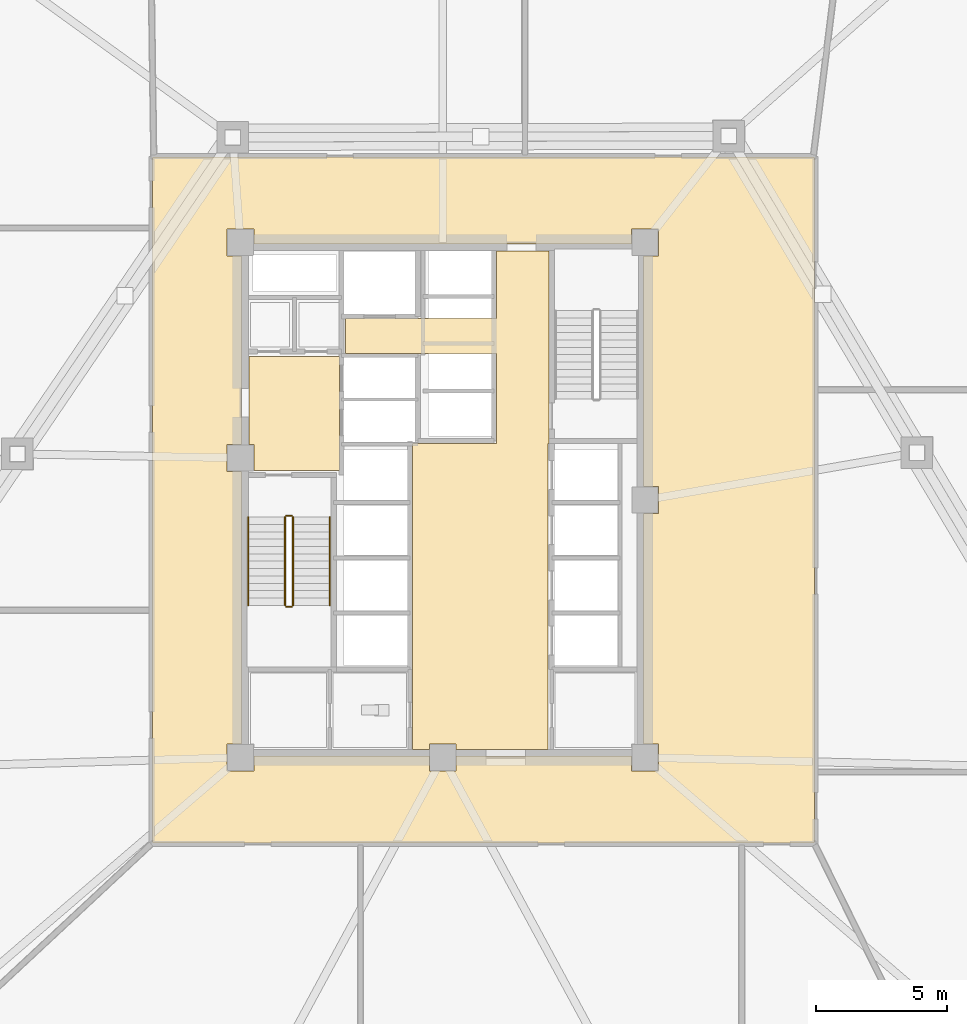
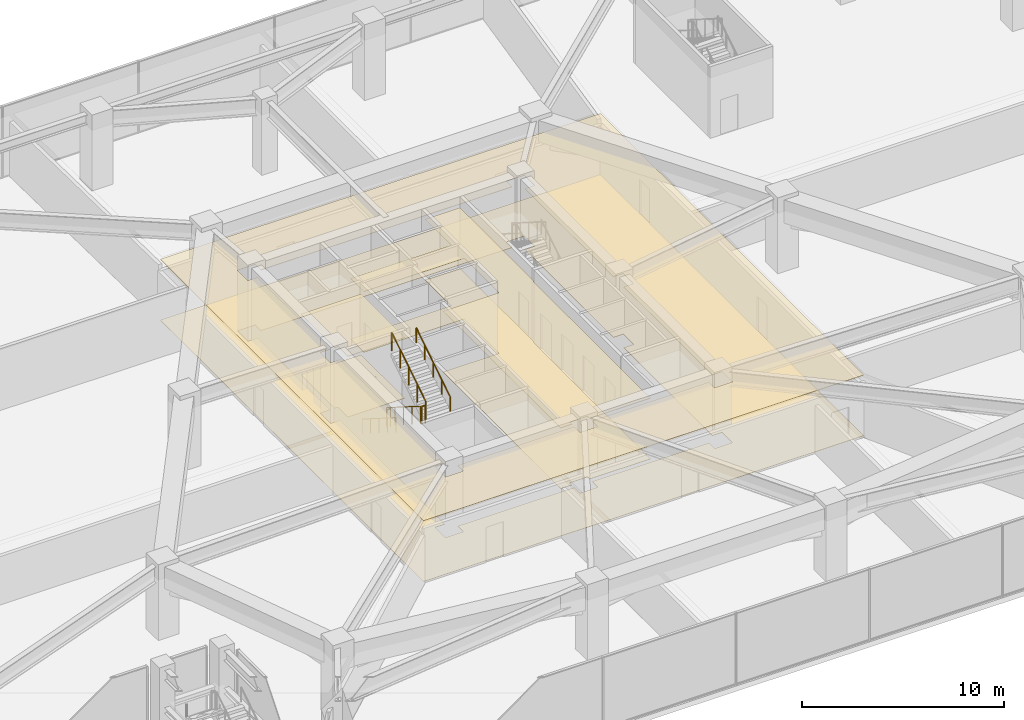
# One storey, part 19 of 23: 6 coverings, 6 railings.
"""IFC4 building model written with IfcOpenShell, lengths in metres."""

from ifc_helpers import new_model, si_unit, direction, frame, origin, origin_2d, place, context, subcontext, project, spatial, polyline, circle, outline, extrude, material, layer, layer_set, type_object, element, save


model = new_model("IFC4")

# Units and contexts
model_context = context("Model", 3, precision=1e-05, world=origin(), true_north=direction((0.0, 1.0)))
body_context = subcontext(model_context, "Body", "Model", "MODEL_VIEW")
ifc_project = project(units=[si_unit("LENGTHUNIT", "METRE"), si_unit("AREAUNIT", "SQUARE_METRE"), si_unit("VOLUMEUNIT", "CUBIC_METRE"), si_unit("PLANEANGLEUNIT", "RADIAN"), si_unit("MASSUNIT", "GRAM", prefix="KILO")], contexts=[model_context])

# Site, building, storey
site_placement = place(None, origin())
site = spatial("IfcSite", under=ifc_project, at=site_placement, CompositionType="ELEMENT")
building_placement = place(site_placement, origin())
building = spatial("IfcBuilding", under=site, at=building_placement, Name="Savorim Split Tower", CompositionType="ELEMENT")
storey_placement = place(building_placement, frame((0.0, 0.0, 21.800048828125)))
storey = spatial("IfcBuildingStorey", under=building, at=storey_placement, Name="L05", CompositionType="ELEMENT", Elevation=21.800048828125)

# Coverings
ifc_material_1 = material(Name="Mineral Fibre Acoustic Ceiling")
ifc_layer_1 = layer(ifc_material_1, 0.02490234375)
ifc_layer_set_1 = layer_set([ifc_layer_1], Name="COV-CEIL-25")
covering_type_1 = type_object("IfcCoveringType", Name="COV-CEIL-25", PredefinedType="CEILING", material=ifc_layer_set_1)
covering_1_placement = place(storey_placement, frame((0.0, 0.0, 3.669921875)))
element("IfcCovering", 1, at=covering_1_placement, inside=storey, type_object=covering_type_1, Name="L05 Firefighting Lift Lobby Acoustic Ceiling", PredefinedType="CEILING", context=body_context, shape_type="SweptSolid", body=[
    extrude(outline(polyline([(-3.929931640625, 5.8701171875), (-7.3798828125, 5.8701171875), (-7.3798828125, 2.510009765625), (-7.18994140625, 2.510009765625), (-7.18994140625, 1.530029296875), (-3.929931640625, 1.530029296875), (-3.929931640625, 5.8701171875)])), origin(), (0.0, 0.0, 1.0), 0.025146484375),
])
covering_2_placement = place(storey_placement, frame((0.0, 0.0, 3.669921875)))
element("IfcCovering", 2, at=covering_2_placement, inside=storey, type_object=covering_type_1, Name="L05 Lift Lobby Acoustic Ceiling", PredefinedType="CEILING", context=body_context, shape_type="SweptSolid", body=[
    extrude(outline(polyline([(2.050048828125, 2.550048828125), (-1.14990234375, 2.550048828125), (-1.14990234375, -9.10009765625), (-0.510009765625, -9.10009765625), (-0.510009765625, -8.889892578125), (0.510009765625, -8.889892578125), (0.510009765625, -9.10009765625), (4.0, -9.10009765625), (4.0, 2.550048828125), (4.050048828125, 2.550048828125), (4.050048828125, 5.97998046875), (4.050048828125, 7.300048828125), (4.050048828125, 9.8798828125), (2.050048828125, 9.8798828125), (2.050048828125, 7.300048828125), (-3.699951171875, 7.300048828125), (-3.699951171875, 5.97998046875), (2.050048828125, 5.97998046875), (2.050048828125, 2.550048828125)])), origin(), (0.0, 0.0, 1.0), 0.025146484375),
])
covering_3_placement = place(storey_placement, frame((0.0, 0.0, 3.669921875)))
element("IfcCovering", 3, at=covering_3_placement, inside=storey, type_object=covering_type_1, Name="L05 Plant Corridor Acoustic Ceiling", PredefinedType="CEILING", context=body_context, shape_type="SweptSolid", body=[
    extrude(outline(polyline([(14.10986328125, 13.448974609375), (14.10498046875, 13.44970703125), (14.10009765625, 13.449951171875), (-11.0, 13.449951171875), (-11.0048828125, 13.44970703125), (-11.009765625, 13.448974609375), (-11.014404296875, 13.44775390625), (-11.01904296875, 13.4462890625), (-11.023681640625, 13.444091796875), (-11.02783203125, 13.441650390625), (-11.03173828125, 13.438720703125), (-11.035400390625, 13.435302734375), (-11.038818359375, 13.431640625), (-11.04150390625, 13.427734375), (-11.044189453125, 13.423583984375), (-11.046142578125, 13.419189453125), (-11.0478515625, 13.41455078125), (-11.049072265625, 13.409912109375), (-11.0498046875, 13.40478515625), (-11.050048828125, 13.39990234375), (-11.050048828125, -12.60009765625), (-11.0498046875, -12.60498046875), (-11.049072265625, -12.60986328125), (-11.0478515625, -12.614501953125), (-11.046142578125, -12.619140625), (-11.044189453125, -12.62353515625), (-11.04150390625, -12.627685546875), (-11.038818359375, -12.631591796875), (-11.035400390625, -12.635498046875), (-11.03173828125, -12.638671875), (-11.02783203125, -12.6416015625), (-11.023681640625, -12.64404296875), (-11.01904296875, -12.646240234375), (-11.014404296875, -12.647705078125), (-11.009765625, -12.64892578125), (-11.0048828125, -12.64990234375), (-11.0, -12.64990234375), (14.10009765625, -12.64990234375), (14.10498046875, -12.64990234375), (14.10986328125, -12.64892578125), (14.114501953125, -12.647705078125), (14.119140625, -12.646240234375), (14.12353515625, -12.64404296875), (14.127685546875, -12.6416015625), (14.131591796875, -12.638671875), (14.135498046875, -12.635498046875), (14.138671875, -12.631591796875), (14.1416015625, -12.627685546875), (14.14404296875, -12.62353515625), (14.146240234375, -12.619140625), (14.147705078125, -12.614501953125), (14.14892578125, -12.60986328125), (14.14990234375, -12.60498046875), (14.14990234375, -12.60009765625), (14.14990234375, 13.39990234375), (14.14990234375, 13.40478515625), (14.14892578125, 13.409912109375), (14.147705078125, 13.41455078125), (14.146240234375, 13.419189453125), (14.14404296875, 13.423583984375), (14.1416015625, 13.427734375), (14.138671875, 13.431640625), (14.135498046875, 13.435302734375), (14.131591796875, 13.438720703125), (14.127685546875, 13.441650390625), (14.12353515625, 13.444091796875), (14.119140625, 13.4462890625), (14.114501953125, 13.44775390625), (14.10986328125, 13.448974609375)]), holes=[polyline([(0.510009765625, -9.909912109375), (0.510009765625, -9.35009765625), (7.18994140625, -9.35009765625), (7.18994140625, -9.909912109375), (8.2099609375, -9.909912109375), (8.2099609375, -8.889892578125), (7.64990234375, -8.889892578125), (7.64990234375, -0.110107421875), (8.2099609375, -0.110107421875), (8.2099609375, 0.909912109375), (7.64990234375, 0.909912109375), (7.64990234375, 9.68994140625), (8.2099609375, 9.68994140625), (8.2099609375, 10.7099609375), (7.18994140625, 10.7099609375), (7.18994140625, 10.14990234375), (-7.18994140625, 10.14990234375), (-7.18994140625, 10.7099609375), (-8.2099609375, 10.7099609375), (-8.2099609375, 9.68994140625), (-7.64990234375, 9.68994140625), (-7.64990234375, 2.510009765625), (-8.2099609375, 2.510009765625), (-8.2099609375, 1.489990234375), (-7.64990234375, 1.489990234375), (-7.64990234375, -8.889892578125), (-8.2099609375, -8.889892578125), (-8.2099609375, -9.909912109375), (-7.18994140625, -9.909912109375), (-7.18994140625, -9.35009765625), (-0.510009765625, -9.35009765625), (-0.510009765625, -9.909912109375), (0.510009765625, -9.909912109375)])]), origin(), (0.0, 0.0, 1.0), 0.025146484375),
])
ifc_material_2 = material(Name="Porcelain Stoneware Flooring", Category="masonry")
ifc_layer_2 = layer(ifc_material_2, 0.02001953125)
ifc_layer_set_2 = layer_set([ifc_layer_2], Name="COV-FLOR-20")
covering_type_2 = type_object("IfcCoveringType", Name="COV-FLOR-20", PredefinedType="FLOORING", material=ifc_layer_set_2)
covering_4_placement = place(storey_placement, origin())
element("IfcCovering", 4, at=covering_4_placement, inside=storey, type_object=covering_type_2, Name="L05 Firefighting Lift Lobby Porcelain Flooring", PredefinedType="FLOORING", context=body_context, shape_type="SweptSolid", body=[
    extrude(outline(polyline([(-3.929931640625, 5.8701171875), (-7.3798828125, 5.8701171875), (-7.3798828125, 2.510009765625), (-7.18994140625, 2.510009765625), (-7.18994140625, 1.530029296875), (-3.929931640625, 1.530029296875), (-3.929931640625, 5.8701171875)])), origin(), (0.0, 0.0, 1.0), 0.02001953125),
])
covering_5_placement = place(storey_placement, origin())
element("IfcCovering", 5, at=covering_5_placement, inside=storey, type_object=covering_type_2, Name="L05 Lift Lobby Porcelain Flooring", PredefinedType="FLOORING", context=body_context, shape_type="SweptSolid", body=[
    extrude(outline(polyline([(2.050048828125, 2.550048828125), (-1.14990234375, 2.550048828125), (-1.14990234375, -9.10009765625), (-0.510009765625, -9.10009765625), (-0.510009765625, -8.889892578125), (0.510009765625, -8.889892578125), (0.510009765625, -9.10009765625), (4.0, -9.10009765625), (4.0, 2.550048828125), (4.050048828125, 2.550048828125), (4.050048828125, 5.97998046875), (4.050048828125, 7.300048828125), (4.050048828125, 9.8798828125), (2.050048828125, 9.8798828125), (2.050048828125, 7.300048828125), (-3.699951171875, 7.300048828125), (-3.699951171875, 5.97998046875), (2.050048828125, 5.97998046875), (2.050048828125, 2.550048828125)])), origin(), (0.0, 0.0, 1.0), 0.02001953125),
])
covering_6_placement = place(storey_placement, origin())
element("IfcCovering", 6, at=covering_6_placement, inside=storey, type_object=covering_type_2, Name="L05 Plant Corridor Porcelain Flooring", PredefinedType="FLOORING", context=body_context, shape_type="SweptSolid", body=[
    extrude(outline(polyline([(14.10986328125, 13.448974609375), (14.10498046875, 13.44970703125), (14.10009765625, 13.449951171875), (-11.0, 13.449951171875), (-11.0048828125, 13.44970703125), (-11.009765625, 13.448974609375), (-11.014404296875, 13.44775390625), (-11.01904296875, 13.4462890625), (-11.023681640625, 13.444091796875), (-11.02783203125, 13.441650390625), (-11.03173828125, 13.438720703125), (-11.035400390625, 13.435302734375), (-11.038818359375, 13.431640625), (-11.04150390625, 13.427734375), (-11.044189453125, 13.423583984375), (-11.046142578125, 13.419189453125), (-11.0478515625, 13.41455078125), (-11.049072265625, 13.409912109375), (-11.0498046875, 13.40478515625), (-11.050048828125, 13.39990234375), (-11.050048828125, -12.60009765625), (-11.0498046875, -12.60498046875), (-11.049072265625, -12.60986328125), (-11.0478515625, -12.614501953125), (-11.046142578125, -12.619140625), (-11.044189453125, -12.62353515625), (-11.04150390625, -12.627685546875), (-11.038818359375, -12.631591796875), (-11.035400390625, -12.635498046875), (-11.03173828125, -12.638671875), (-11.02783203125, -12.6416015625), (-11.023681640625, -12.64404296875), (-11.01904296875, -12.646240234375), (-11.014404296875, -12.647705078125), (-11.009765625, -12.64892578125), (-11.0048828125, -12.64990234375), (-11.0, -12.64990234375), (14.10009765625, -12.64990234375), (14.10498046875, -12.64990234375), (14.10986328125, -12.64892578125), (14.114501953125, -12.647705078125), (14.119140625, -12.646240234375), (14.12353515625, -12.64404296875), (14.127685546875, -12.6416015625), (14.131591796875, -12.638671875), (14.135498046875, -12.635498046875), (14.138671875, -12.631591796875), (14.1416015625, -12.627685546875), (14.14404296875, -12.62353515625), (14.146240234375, -12.619140625), (14.147705078125, -12.614501953125), (14.14892578125, -12.60986328125), (14.14990234375, -12.60498046875), (14.14990234375, -12.60009765625), (14.14990234375, 13.39990234375), (14.14990234375, 13.40478515625), (14.14892578125, 13.409912109375), (14.147705078125, 13.41455078125), (14.146240234375, 13.419189453125), (14.14404296875, 13.423583984375), (14.1416015625, 13.427734375), (14.138671875, 13.431640625), (14.135498046875, 13.435302734375), (14.131591796875, 13.438720703125), (14.127685546875, 13.441650390625), (14.12353515625, 13.444091796875), (14.119140625, 13.4462890625), (14.114501953125, 13.44775390625), (14.10986328125, 13.448974609375)]), holes=[polyline([(0.510009765625, -9.909912109375), (0.510009765625, -9.35009765625), (7.18994140625, -9.35009765625), (7.18994140625, -9.909912109375), (8.2099609375, -9.909912109375), (8.2099609375, -8.889892578125), (7.64990234375, -8.889892578125), (7.64990234375, -0.110107421875), (8.2099609375, -0.110107421875), (8.2099609375, 0.909912109375), (7.64990234375, 0.909912109375), (7.64990234375, 9.68994140625), (8.2099609375, 9.68994140625), (8.2099609375, 10.7099609375), (7.18994140625, 10.7099609375), (7.18994140625, 10.14990234375), (-7.18994140625, 10.14990234375), (-7.18994140625, 10.7099609375), (-8.2099609375, 10.7099609375), (-8.2099609375, 9.68994140625), (-7.64990234375, 9.68994140625), (-7.64990234375, 2.510009765625), (-8.2099609375, 2.510009765625), (-8.2099609375, 1.489990234375), (-7.64990234375, 1.489990234375), (-7.64990234375, -8.889892578125), (-8.2099609375, -8.889892578125), (-8.2099609375, -9.909912109375), (-7.18994140625, -9.909912109375), (-7.18994140625, -9.35009765625), (-0.510009765625, -9.35009765625), (-0.510009765625, -9.909912109375), (0.510009765625, -9.909912109375)])]), origin(), (0.0, 0.0, 1.0), 0.02001953125),
])

# Railings
ifc_material_3 = material(Name="Galvanised Painted Steel Balustrade", Category="steel")
railing_type_1 = type_object("IfcRailingType", Name="RLG-HR-900", PredefinedType="HANDRAIL", material=ifc_material_3)
railing_1_placement = place(storey_placement, frame((-7.39990234375, -0.25, 0.1767578125)))
element("IfcRailing", 7, at=railing_1_placement, inside=storey, type_object=railing_type_1, Name="L05 ST-1 stair handrail 1", PredefinedType="HANDRAIL", context=body_context, shape_type="SweptSolid", body=[
    extrude(circle(Radius=0.02392578125, at=origin_2d()), frame((0.0, 0.0, 0.8759765625), z_axis=(0.0, -0.845361898145, 0.534194029511), x_axis=(1.0, 0.0, 0.0)), (0.0, 0.0, 1.0), 3.974853515625),
    extrude(circle(Radius=0.02099609375, at=origin_2d()), origin(), (0.0, 0.0, 1.0), 0.851806640625),
    extrude(circle(Radius=0.02099609375, at=origin_2d()), frame((0.0, -0.840087890625, 0.53076171875)), (0.0, 0.0, 1.0), 0.851806640625),
    extrude(circle(Radius=0.02099609375, at=origin_2d()), frame((0.0, -1.68017578125, 1.0615234375)), (0.0, 0.0, 1.0), 0.851806640625),
    extrude(circle(Radius=0.02099609375, at=origin_2d()), frame((0.0, -2.52001953125, 1.592529296875)), (0.0, 0.0, 1.0), 0.851806640625),
    extrude(circle(Radius=0.02099609375, at=origin_2d()), frame((0.0, -3.360107421875, 2.123291015625)), (0.0, 0.0, 1.0), 0.851806640625),
])
railing_2_placement = place(storey_placement, frame((-4.300048828125, -3.610107421875, 2.476806640625)))
element("IfcRailing", 8, at=railing_2_placement, inside=storey, type_object=railing_type_1, Name="L05 ST-1 stair handrail 2", PredefinedType="HANDRAIL", context=body_context, shape_type="SweptSolid", body=[
    extrude(circle(Radius=0.02392578125, at=origin_2d()), frame((0.0, 0.0, 0.8759765625), z_axis=(0.0, 0.845389635667, 0.534150132366), x_axis=(-1.0, 0.0, 0.0)), (0.0, 0.0, 1.0), 3.974609375),
    extrude(circle(Radius=0.02099609375, at=origin_2d()), origin(), (0.0, 0.0, 1.0), 0.851806640625),
    extrude(circle(Radius=0.02099609375, at=origin_2d()), frame((0.0, 0.840087890625, 0.53076171875)), (0.0, 0.0, 1.0), 0.851806640625),
    extrude(circle(Radius=0.02099609375, at=origin_2d()), frame((0.0, 1.68017578125, 1.0615234375)), (0.0, 0.0, 1.0), 0.851806640625),
    extrude(circle(Radius=0.02099609375, at=origin_2d()), frame((0.0, 2.52001953125, 1.59228515625)), (0.0, 0.0, 1.0), 0.851806640625),
    extrude(circle(Radius=0.02099609375, at=origin_2d()), frame((0.0, 3.360107421875, 2.123046875)), (0.0, 0.0, 1.0), 0.851806640625),
])
railing_type_2 = type_object("IfcRailingType", Name="RLG-STG-1100", PredefinedType="BALUSTRADE", material=ifc_material_3)
railing_3_placement = place(storey_placement, frame((-6.0, -0.25, 0.1767578125)))
element("IfcRailing", 9, at=railing_3_placement, inside=storey, type_object=railing_type_2, Name="L05 ST-1 stair guard 1", PredefinedType="BALUSTRADE", context=body_context, shape_type="SweptSolid", body=[
    extrude(circle(Radius=0.02392578125, at=origin_2d()), frame((0.0, 0.0, 1.076171875), z_axis=(0.0, -0.845361898145, 0.534194029511), x_axis=(1.0, 0.0, 0.0)), (0.0, 0.0, 1.0), 3.974853515625),
    extrude(circle(Radius=0.02099609375, at=origin_2d()), origin(), (0.0, 0.0, 1.0), 1.052001953125),
    extrude(circle(Radius=0.02099609375, at=origin_2d()), frame((0.0, -0.840087890625, 0.53076171875)), (0.0, 0.0, 1.0), 1.052001953125),
    extrude(circle(Radius=0.02099609375, at=origin_2d()), frame((0.0, -1.68017578125, 1.0615234375)), (0.0, 0.0, 1.0), 1.052001953125),
    extrude(circle(Radius=0.02099609375, at=origin_2d()), frame((0.0, -2.52001953125, 1.592529296875)), (0.0, 0.0, 1.0), 1.052001953125),
    extrude(circle(Radius=0.02099609375, at=origin_2d()), frame((0.0, -3.360107421875, 2.123291015625)), (0.0, 0.0, 1.0), 1.052001953125),
])
railing_4_placement = place(storey_placement, frame((-5.949951171875, -3.659912109375, 2.300048828125)))
element("IfcRailing", 10, at=railing_4_placement, inside=storey, type_object=railing_type_2, Name="L05 ST-1 stair guard 2", PredefinedType="BALUSTRADE", context=body_context, shape_type="SweptSolid", body=[
    extrude(circle(Radius=0.02392578125, at=origin_2d()), frame((0.0, 0.0, 1.076171875), z_axis=(1.0, 0.0, 0.0), x_axis=(0.0, 1.0, 0.0)), (0.0, 0.0, 1.0), 0.199951171875),
    extrude(circle(Radius=0.02099609375, at=origin_2d()), origin(), (0.0, 0.0, 1.0), 1.052001953125),
    extrude(circle(Radius=0.02099609375, at=origin_2d()), frame((0.199951171875, 0.0, 0.0)), (0.0, 0.0, 1.0), 1.052001953125),
])
railing_5_placement = place(storey_placement, frame((-5.699951171875, -3.610107421875, 2.476806640625)))
element("IfcRailing", 11, at=railing_5_placement, inside=storey, type_object=railing_type_2, Name="L05 ST-1 stair guard 3", PredefinedType="BALUSTRADE", context=body_context, shape_type="SweptSolid", body=[
    extrude(circle(Radius=0.02392578125, at=origin_2d()), frame((0.0, 0.0, 1.076171875), z_axis=(0.0, 0.845389635667, 0.534150132366), x_axis=(-1.0, 0.0, 0.0)), (0.0, 0.0, 1.0), 3.974609375),
    extrude(circle(Radius=0.02099609375, at=origin_2d()), origin(), (0.0, 0.0, 1.0), 1.052001953125),
    extrude(circle(Radius=0.02099609375, at=origin_2d()), frame((0.0, 0.840087890625, 0.53076171875)), (0.0, 0.0, 1.0), 1.052001953125),
    extrude(circle(Radius=0.02099609375, at=origin_2d()), frame((0.0, 1.68017578125, 1.0615234375)), (0.0, 0.0, 1.0), 1.052001953125),
    extrude(circle(Radius=0.02099609375, at=origin_2d()), frame((0.0, 2.52001953125, 1.59228515625)), (0.0, 0.0, 1.0), 1.052001953125),
    extrude(circle(Radius=0.02099609375, at=origin_2d()), frame((0.0, 3.360107421875, 2.123046875)), (0.0, 0.0, 1.0), 1.052001953125),
])
railing_6_placement = place(storey_placement, frame((-5.949951171875, -0.199951171875, 0.0)))
element("IfcRailing", 12, at=railing_6_placement, inside=storey, type_object=railing_type_2, Name="L05 ST-1 stair guard 4", PredefinedType="BALUSTRADE", context=body_context, shape_type="SweptSolid", body=[
    extrude(circle(Radius=0.02392578125, at=origin_2d()), frame((0.0, 0.0, 1.076171875), z_axis=(1.0, 0.0, 0.0), x_axis=(0.0, 1.0, 0.0)), (0.0, 0.0, 1.0), 0.199951171875),
    extrude(circle(Radius=0.02099609375, at=origin_2d()), origin(), (0.0, 0.0, 1.0), 1.052001953125),
    extrude(circle(Radius=0.02099609375, at=origin_2d()), frame((0.199951171875, 0.0, 0.0)), (0.0, 0.0, 1.0), 1.052001953125),
])

save(model, "model.ifc")
